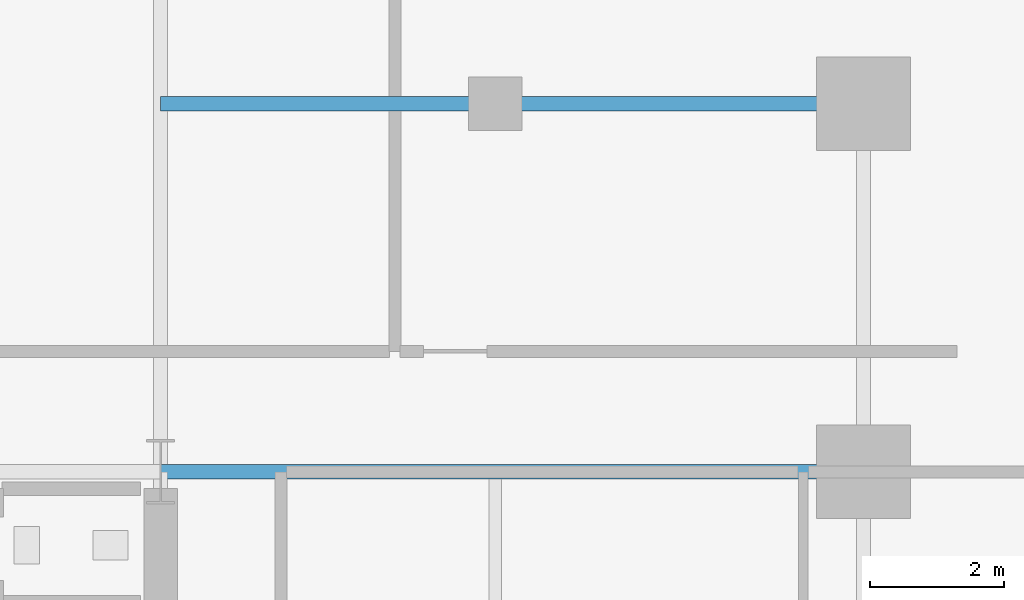
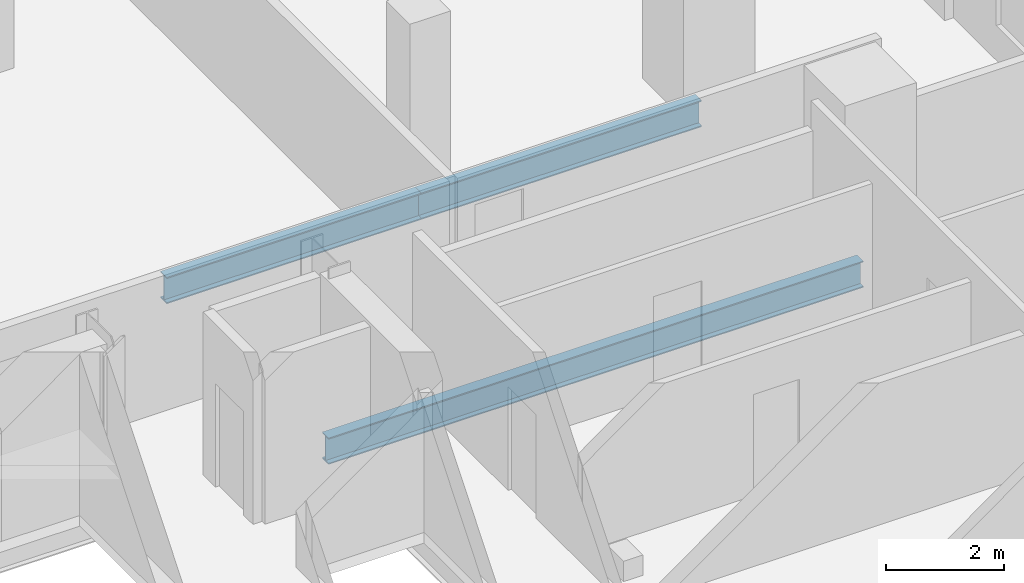
# One storey, part 18 of 27: 3 beams.
"""IFC4 building model written with IfcOpenShell, lengths in metres."""

from ifc_helpers import new_model, si_unit, direction, frame, origin, origin_2d, place, context, subcontext, project, spatial, i_section, extrude, material, material_profile, profile_set, type_object, element, save


model = new_model("IFC4")

# Units and contexts
model_context = context("Model", 3, precision=1e-05, world=origin(), true_north=direction((0.0, 1.0)))
body_context = subcontext(model_context, "Body", "Model", "MODEL_VIEW")
ifc_project = project(units=[si_unit("LENGTHUNIT", "METRE"), si_unit("AREAUNIT", "SQUARE_METRE"), si_unit("VOLUMEUNIT", "CUBIC_METRE"), si_unit("PLANEANGLEUNIT", "RADIAN"), si_unit("MASSUNIT", "GRAM", prefix="KILO")], contexts=[model_context])

# Site, building, storey
site_placement = place(None, origin())
site = spatial("IfcSite", under=ifc_project, at=site_placement, CompositionType="ELEMENT")
building_placement = place(site_placement, origin())
building = spatial("IfcBuilding", under=site, at=building_placement, Name="Barlavira Tower and Art Museum", CompositionType="ELEMENT")
storey_placement = place(building_placement, frame((0.0, 0.0, 72.0)))
storey = spatial("IfcBuildingStorey", under=building, at=storey_placement, Name="L17", CompositionType="ELEMENT", Elevation=72.0)

# Beams
ifc_material = material(Name="Steel S355", Category="steel")
ifc_material_profile = material_profile(ifc_material, i_section(OverallWidth=0.214111328125, OverallDepth=0.549072265625, WebThickness=0.0146484375, FlangeThickness=0.023681640625, at=origin_2d()), Name="W530x138.0")
ifc_profile_set = profile_set([ifc_material_profile], Name="Steel S355")
beam_type = type_object("IfcBeamType", Name="Zone 1 Primary Floor Girder W530x138 Steel S355", PredefinedType="BEAM", material=ifc_profile_set)
beam_1_placement = place(storey_placement, frame((6.5, 7.5, -0.494384765625), z_axis=(1.0, 0.0, 0.0), x_axis=(0.0, 1.0, 0.0)))
element("IfcBeam", 1, at=beam_1_placement, inside=storey, type_object=beam_type, Name="L17 Girder R-E2", PredefinedType="BEAM", context=body_context, shape_type="SweptSolid", body=[
    extrude(i_section(OverallWidth=0.214111328125, OverallDepth=0.549072265625, WebThickness=0.0146484375, FlangeThickness=0.023681640625, at=origin_2d()), origin(), (0.0, 0.0, 1.0), 10.5),
])
beam_2_placement = place(storey_placement, frame((6.5, 13.0, -0.494384765625), z_axis=(1.0, 0.0, 0.0), x_axis=(0.0, 1.0, 0.0)))
element("IfcBeam", 2, at=beam_2_placement, inside=storey, type_object=beam_type, Name="L17 Girder I-N3", PredefinedType="BEAM", context=body_context, shape_type="SweptSolid", body=[
    extrude(i_section(OverallWidth=0.214111328125, OverallDepth=0.549072265625, WebThickness=0.0146484375, FlangeThickness=0.023681640625, at=origin_2d()), origin(), (0.0, 0.0, 1.0), 5.0),
])
beam_3_placement = place(storey_placement, frame((11.5, 13.0, -0.494384765625), z_axis=(1.0, 0.0, 0.0), x_axis=(0.0, 1.0, 0.0)))
element("IfcBeam", 3, at=beam_3_placement, inside=storey, type_object=beam_type, Name="L17 Girder I-N4", PredefinedType="BEAM", context=body_context, shape_type="SweptSolid", body=[
    extrude(i_section(OverallWidth=0.214111328125, OverallDepth=0.549072265625, WebThickness=0.0146484375, FlangeThickness=0.023681640625, at=origin_2d()), origin(), (0.0, 0.0, 1.0), 5.5),
])

save(model, "model.ifc")
